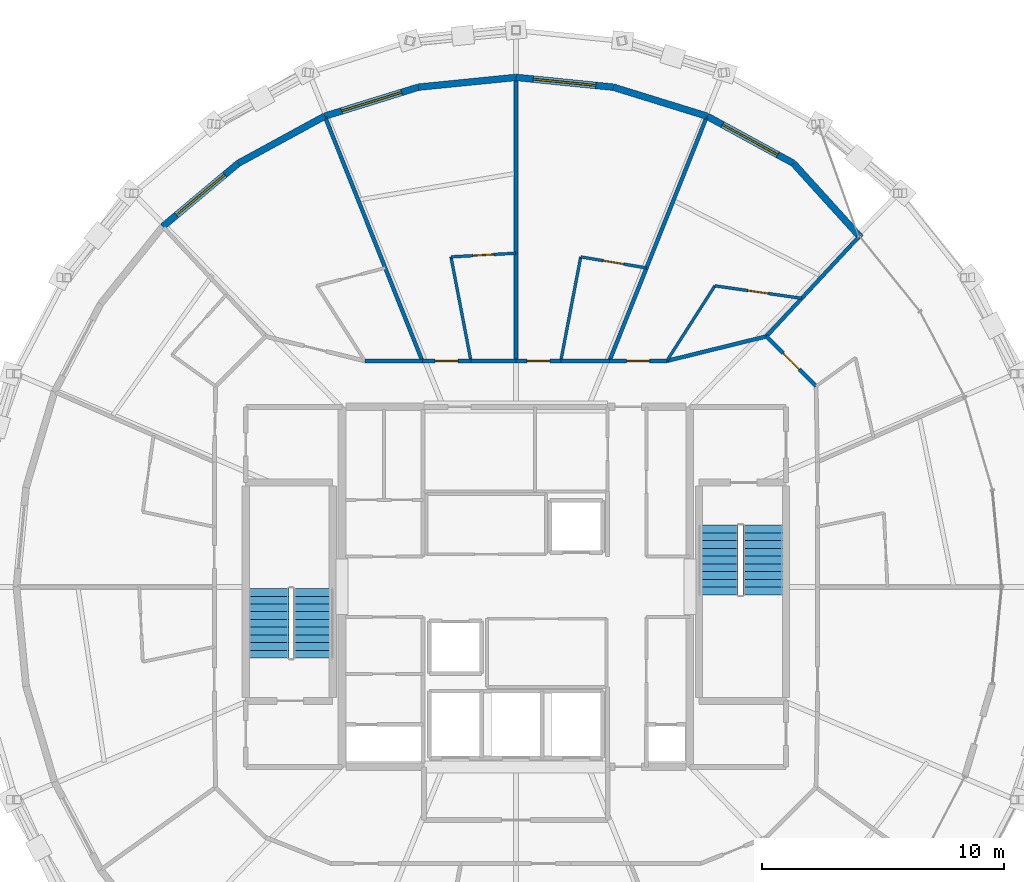
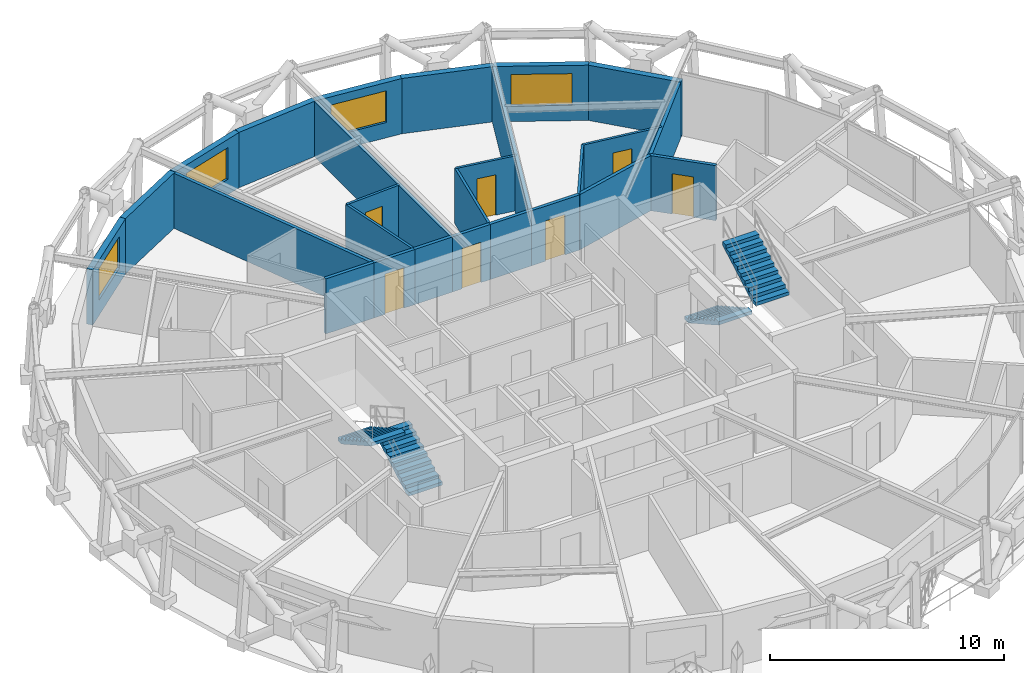
# One storey, part 14 of 15: 26 walls, 7 doors, 4 stair flights, 4 windows, 11 openings, 2 elements without a shape of their own.
"""IFC4 building model written with IfcOpenShell, lengths in metres."""

import ifcopenshell
import ifcopenshell.guid

model = None  # the IFC model being written
_history = None  # IfcOwnerHistory: only IFC2X3 demands one
_inside = {}  # id of a spatial element -> (the spatial element, [elements in it])
_under = {}  # id of a project, library or spatial element -> (it, [spatial elements below it])
_declared = {}  # id of a project -> (the project, [libraries it declares])
_typed = {}  # id of a type object -> (the type object, [elements of that type])
_made_of = {}  # id of a material, layer set ... -> (it, [elements and type objects made of it])


def new_model(schema):
    """Start an empty IFC model of exactly this schema.

    Asked for "IFC4X3", IfcOpenShell would pick the latest addendum, in which some entities
    have other attributes; the version numbers below select the first issue.
    IFC2X3 requires an IfcOwnerHistory on every rooted entity: one is made here for all.
    """
    global model, _history
    if schema == "IFC4X3":
        model = ifcopenshell.file(schema_version=(4, 3, 0, 0))
    else:
        model = ifcopenshell.file(schema=schema)
    _inside.clear()
    _under.clear()
    _declared.clear()
    _typed.clear()
    _made_of.clear()
    _history = None
    if model.schema == "IFC2X3":
        org = make("IfcOrganization", Name="unknown")
        user = make(
            "IfcPersonAndOrganization",
            ThePerson=make("IfcPerson", FamilyName="unknown"),
            TheOrganization=org,
        )
        app = make(
            "IfcApplication",
            ApplicationDeveloper=org,
            Version="unknown",
            ApplicationFullName="unknown",
            ApplicationIdentifier="unknown",
        )
        _history = make(
            "IfcOwnerHistory",
            OwningUser=user,
            OwningApplication=app,
            ChangeAction="ADDED",
            CreationDate=0,
        )
    return model


def make(cls, **values):
    """One entity of the class cls with the attributes given. An attribute that is None is left unset."""
    return model.create_entity(
        cls, **{name: value for name, value in values.items() if value is not None}
    )


def rooted(cls, **values):
    """An entity with a GlobalId (a new one), such as an element, a storey or a relation."""
    return make(cls, GlobalId=ifcopenshell.guid.new(), OwnerHistory=_history, **values)


def si_unit(unit_type, name, prefix=None):
    """IfcSIUnit, for example si_unit("LENGTHUNIT", "METRE", prefix="MILLI")."""
    return make("IfcSIUnit", UnitType=unit_type, Prefix=prefix, Name=name)


def assignment(units):
    """IfcUnitAssignment: the units of a project."""
    return None if units is None else make("IfcUnitAssignment", Units=units)


def point(xyz):
    """IfcCartesianPoint."""
    return None if xyz is None else make("IfcCartesianPoint", Coordinates=xyz)


def direction(xyz):
    """IfcDirection."""
    return None if xyz is None else make("IfcDirection", DirectionRatios=xyz)


def frame(location, z_axis=None, x_axis=None):
    """IfcAxis2Placement3D, a coordinate frame: its origin and axes. An axis left out is left unset."""
    return make(
        "IfcAxis2Placement3D",
        Location=point(location),
        Axis=direction(z_axis),
        RefDirection=direction(x_axis),
    )


def frame_2d(location, x_axis=None):
    """IfcAxis2Placement2D, a coordinate frame in the plane: its origin and x axis."""
    return make(
        "IfcAxis2Placement2D", Location=point(location), RefDirection=direction(x_axis)
    )


def origin():
    """The frame at (0, 0, 0) with its axes left unset."""
    return frame((0.0, 0.0, 0.0))


def place(relative_to, where):
    """IfcLocalPlacement: puts the frame where relative to a parent placement (None: the world)."""
    return make(
        "IfcLocalPlacement", PlacementRelTo=relative_to, RelativePlacement=where
    )


def context(
    kind, dimensions, precision=None, world=None, true_north=None, identifier=None
):
    """IfcGeometricRepresentationContext, for example the 3D "Model" context."""
    return make(
        "IfcGeometricRepresentationContext",
        ContextIdentifier=identifier,
        ContextType=kind,
        CoordinateSpaceDimension=dimensions,
        Precision=precision,
        WorldCoordinateSystem=world,
        TrueNorth=true_north,
    )


def subcontext(parent, identifier, kind, view, scale=None):
    """IfcGeometricRepresentationSubContext, for example "Body" below "Model"."""
    return make(
        "IfcGeometricRepresentationSubContext",
        ContextIdentifier=identifier,
        ContextType=kind,
        ParentContext=parent,
        TargetScale=scale,
        TargetView=view,
    )


def project(units=None, contexts=None):
    """IfcProject with its units and contexts."""
    return rooted(
        "IfcProject",
        Name="project",
        RepresentationContexts=contexts,
        UnitsInContext=assignment(units),
    )


def spatial(cls, under=None, at=None, **own):
    """A site, building, storey or space (cls), placed at a placement, below another one or the project."""
    s = rooted(cls, ObjectPlacement=at, **own)
    if under is not None:
        _under.setdefault(under.id(), (under, []))[1].append(s)
    return s


def polyline(points):
    """IfcPolyline through the points."""
    return make("IfcPolyline", Points=[point(p) for p in points])


def profile(cls, at=None, kind="AREA", **sizes):
    """A parametric profile (cls). Its sizes go by their IFC names, for example OverallWidth=200.0."""
    return make(cls, ProfileType=kind, Position=at, **sizes)


def rectangle(**sizes):
    """IfcRectangleProfileDef."""
    return profile("IfcRectangleProfileDef", **sizes)


def outline(outer, holes=None, kind="AREA"):
    """IfcArbitraryClosedProfileDef: a profile drawn as a closed curve; with holes, ...WithVoids."""
    if holes is None:
        return make("IfcArbitraryClosedProfileDef", ProfileType=kind, OuterCurve=outer)
    return make(
        "IfcArbitraryProfileDefWithVoids",
        ProfileType=kind,
        OuterCurve=outer,
        InnerCurves=holes,
    )


def extrude(swept, where, along, depth):
    """IfcExtrudedAreaSolid: the profile swept, set in the frame where, extruded along a direction by depth."""
    return make(
        "IfcExtrudedAreaSolid",
        SweptArea=swept,
        Position=where,
        ExtrudedDirection=direction(along),
        Depth=depth,
    )


def shape(context_of_items, identifier, shape_type, items):
    """IfcShapeRepresentation: the items that make up one representation, for example the "Body"."""
    return make(
        "IfcShapeRepresentation",
        ContextOfItems=context_of_items,
        RepresentationIdentifier=identifier,
        RepresentationType=shape_type,
        Items=items,
    )


def material(Name=None, Category=None):
    """IfcMaterial."""
    return make("IfcMaterial", Name=Name, Category=Category)


def layer(
    of_material, thickness, ventilated=None, Name=None, Category=None, Priority=None
):
    """IfcMaterialLayer: one layer of a wall or slab, of a material (None: an air gap)."""
    return make(
        "IfcMaterialLayer",
        Material=of_material,
        LayerThickness=thickness,
        IsVentilated=ventilated,
        Name=Name,
        Category=Category,
        Priority=Priority,
    )


def layer_set(layers, Name=None):
    """IfcMaterialLayerSet."""
    return make("IfcMaterialLayerSet", MaterialLayers=layers, LayerSetName=Name)


def made_of(thing, what):
    """Note that an element or type object is made of a material, layer set ...; save() writes the relation."""
    if what is not None:
        _made_of.setdefault(what.id(), (what, []))[1].append(thing)
    return thing


def type_object(cls, material=None, **own):
    """A type object (cls), such as IfcWallType, which elements share."""
    return made_of(rooted(cls, **own), material)


def element(
    cls,
    number,
    at=None,
    inside=None,
    cuts=None,
    type_object=None,
    material=None,
    context=None,
    identifier="Body",
    shape_type=None,
    held_by="IfcProductDefinitionShape",
    body=None,
    shapes=None,
    **own,
):
    """One element of the class cls, such as IfcWall. Its Tag is "e" and its number.

    at: its placement. inside: the storey or other place that contains it. cuts: it is an
    opening in that element (IfcRelVoidsElement). A single representation is given by context,
    identifier, shape_type and body (its items); several are given by shapes. held_by: the class
    of the entity that holds the representations. save() writes the other relations.
    """
    e = rooted(cls, Tag="e%d" % number, ObjectPlacement=at, **own)
    if body is not None:
        shapes = [shape(context, identifier, shape_type, body)]
    if shapes is not None:
        e.Representation = make(held_by, Representations=shapes)
    if inside is not None:
        _inside.setdefault(inside.id(), (inside, []))[1].append(e)
    if cuts is not None:
        rooted(
            "IfcRelVoidsElement", RelatingBuildingElement=cuts, RelatedOpeningElement=e
        )
    if type_object is not None:
        _typed.setdefault(type_object.id(), (type_object, []))[1].append(e)
    return made_of(e, material)


def fill(opening, filler):
    """IfcRelFillsElement: the door or window that sits in an opening."""
    return rooted(
        "IfcRelFillsElement",
        RelatingOpeningElement=opening,
        RelatedBuildingElement=filler,
    )


def aggregate(whole, parts):
    """IfcRelAggregates: a whole, such as a stair, and the parts it consists of."""
    return rooted("IfcRelAggregates", RelatingObject=whole, RelatedObjects=parts)


def save(model, path):
    """Write the relations noted so far, then the file.

    IfcRelAggregates (storeys below a building ...), IfcRelContainedInSpatialStructure (elements
    in a storey), IfcRelDefinesByType, IfcRelAssociatesMaterial and IfcRelDeclares: one each for
    every whole, place, type object, material and project.
    """
    for whole, parts in _under.values():
        aggregate(whole, parts)
    for where, things in _inside.values():
        rooted(
            "IfcRelContainedInSpatialStructure",
            RelatedElements=things,
            RelatingStructure=where,
        )
    for kind, things in _typed.values():
        rooted("IfcRelDefinesByType", RelatedObjects=things, RelatingType=kind)
    for what, things in _made_of.values():
        rooted("IfcRelAssociatesMaterial", RelatedObjects=things, RelatingMaterial=what)
    for by, libraries in _declared.values():
        rooted("IfcRelDeclares", RelatingContext=by, RelatedDefinitions=libraries)
    model.write(path)


model = new_model("IFC4")

# Units and contexts
model_context = context("Model", 3, precision=1e-05, world=origin(), true_north=direction((0.0, 1.0)))
body_context = subcontext(model_context, "Body", "Model", "MODEL_VIEW")
ifc_project = project(units=[si_unit("LENGTHUNIT", "METRE"), si_unit("AREAUNIT", "SQUARE_METRE"), si_unit("VOLUMEUNIT", "CUBIC_METRE"), si_unit("PLANEANGLEUNIT", "RADIAN"), si_unit("MASSUNIT", "GRAM", prefix="KILO")], contexts=[model_context])

# Site, building, storey
site_placement = place(None, origin())
site = spatial("IfcSite", under=ifc_project, at=site_placement, CompositionType="ELEMENT")
building_placement = place(site_placement, origin())
building = spatial("IfcBuilding", under=site, at=building_placement, Name="Veldorina Hangang Commons", CompositionType="ELEMENT")
storey_placement = place(building_placement, frame((0.0, 0.0, 254.39990234375)))
storey = spatial("IfcBuildingStorey", under=building, at=storey_placement, Name="L66", CompositionType="ELEMENT", Elevation=254.39990234375)

# Wall
ifc_material_1 = material(Name="Stone Roman Travertine", Category="masonry")
ifc_layer_1 = layer(ifc_material_1, 0.280029296875)
ifc_layer_set_1 = layer_set([ifc_layer_1], Name="Stone Roman Travertine")
wall_type_1 = type_object("IfcWallType", Name="EW-TRAV-280", PredefinedType="STANDARD", material=ifc_layer_set_1)
wall_1_placement = place(storey_placement, frame((46.281494140625, 38.445556640625, 0.0), z_axis=(0.0, 0.0, 1.0), x_axis=(-0.67165415444, 0.740864830332, 0.0)))
element("IfcWall", 1, at=wall_1_placement, inside=storey, type_object=wall_type_1, Name="L66 travertine facade wall 04", PredefinedType="STANDARD", context=body_context, shape_type="SweptSolid", body=[
    extrude(rectangle(XDim=4.166015625, YDim=0.280029296875, at=frame_2d((2.0830078125, 0.0))), origin(), (0.0, 0.0, 1.0), 2.880126953125),
])

# Wall, opening, window
wall_2_placement = place(storey_placement, frame((43.4833984375, 41.531982421875, 0.0), z_axis=(0.0, 0.0, 1.0), x_axis=(-0.877966625542, 0.478721844534, 0.0)))
wall_2 = element("IfcWall", 2, at=wall_2_placement, inside=storey, type_object=wall_type_1, Name="L66 travertine facade wall 05", PredefinedType="STANDARD", context=body_context, shape_type="SweptSolid", body=[
    extrude(rectangle(XDim=4.070068359375, YDim=0.280029296875, at=frame_2d((2.03515625, 0.0))), origin(), (0.0, 0.0, 1.0), 2.880126953125),
])
opening_1_placement = place(wall_2_placement, frame((0.735107421875, 0.0, 0.800048828125)))
opening_1 = element("IfcOpeningElement", 3, at=opening_1_placement, cuts=wall_2, Name="Opening W-02", PredefinedType="OPENING", context=body_context, shape_type="SweptSolid", body=[
    extrude(rectangle(XDim=2.60009765625, YDim=1.64990234375, at=frame_2d((1.300048828125, 0.824951171875))), frame((0.0, 0.14990234375, 0.0), z_axis=(0.0, -1.0, 0.0), x_axis=(1.0, 0.0, 0.0)), (0.0, 0.0, 1.0), 0.300048828125),
])
ifc_material_2 = material(Name="Glass Low-E Triple IGU", Category="glass")
window_type = type_object("IfcWindowType", Name="WIN-TWR-2600", PartitioningType="SINGLE_PANEL", PredefinedType="WINDOW", material=ifc_material_2)
window_1_placement = place(opening_1_placement, origin())
window_1 = element("IfcWindow", 4, at=window_1_placement, inside=storey, type_object=window_type, Name="L66 facade window 05", OverallHeight=1.64990234375, OverallWidth=2.60009765625, PartitioningType="SINGLE_PANEL", PredefinedType="WINDOW", context=body_context, shape_type="SweptSolid", body=[
    extrude(rectangle(XDim=2.60009765625, YDim=1.64990234375, at=frame_2d((1.300048828125, 0.824951171875))), frame((0.0, 0.030029296875, 0.0), z_axis=(0.0, -1.0, 0.0), x_axis=(1.0, 0.0, 0.0)), (0.0, 0.0, 1.0), 0.06005859375),
])
fill(opening_1, window_1)

# Wall
wall_3_placement = place(storey_placement, frame((39.909912109375, 43.48046875, 0.0), z_axis=(0.0, 0.0, 1.0), x_axis=(-0.955300452464, 0.295636678243, 0.0)))
element("IfcWall", 5, at=wall_3_placement, inside=storey, type_object=wall_type_1, Name="L66 travertine facade wall 06", PredefinedType="STANDARD", context=body_context, shape_type="SweptSolid", body=[
    extrude(rectangle(XDim=4.058837890625, YDim=0.280029296875, at=frame_2d((2.029296875, 0.0))), origin(), (0.0, 0.0, 1.0), 2.880126953125),
])

# Wall, opening, window
wall_4_placement = place(storey_placement, frame((36.032470703125, 44.680419921875, 0.0), z_axis=(0.0, 0.0, 1.0), x_axis=(-0.994993554733, 0.099939111661, 0.0)))
wall_4 = element("IfcWall", 6, at=wall_4_placement, inside=storey, type_object=wall_type_1, Name="L66 travertine facade wall 07", PredefinedType="STANDARD", context=body_context, shape_type="SweptSolid", body=[
    extrude(rectangle(XDim=4.052734375, YDim=0.280029296875, at=frame_2d((2.0263671875, 0.0))), origin(), (0.0, 0.0, 1.0), 2.880126953125),
])
opening_2_placement = place(wall_4_placement, frame((0.726318359375, 0.0, 0.800048828125)))
opening_2 = element("IfcOpeningElement", 7, at=opening_2_placement, cuts=wall_4, Name="Opening W-02", PredefinedType="OPENING", context=body_context, shape_type="SweptSolid", body=[
    extrude(rectangle(XDim=2.60009765625, YDim=1.64990234375, at=frame_2d((1.300048828125, 0.824951171875))), frame((0.0, 0.14990234375, 0.0), z_axis=(0.0, -1.0, 0.0), x_axis=(1.0, 0.0, 0.0)), (0.0, 0.0, 1.0), 0.300048828125),
])
window_2_placement = place(opening_2_placement, origin())
window_2 = element("IfcWindow", 8, at=window_2_placement, inside=storey, type_object=window_type, Name="L66 facade window 07", OverallHeight=1.64990234375, OverallWidth=2.60009765625, PartitioningType="SINGLE_PANEL", PredefinedType="WINDOW", context=body_context, shape_type="SweptSolid", body=[
    extrude(rectangle(XDim=2.60009765625, YDim=1.64990234375, at=frame_2d((1.300048828125, 0.824951171875))), frame((0.0, 0.030029296875, 0.0), z_axis=(0.0, -1.0, 0.0), x_axis=(1.0, 0.0, 0.0)), (0.0, 0.0, 1.0), 0.06005859375),
])
fill(opening_2, window_2)

# Wall
wall_5_placement = place(storey_placement, frame((32.0, 45.08544921875, 0.0), z_axis=(0.0, 0.0, 1.0), x_axis=(-0.994993554733, -0.099939111661, 0.0)))
element("IfcWall", 9, at=wall_5_placement, inside=storey, type_object=wall_type_1, Name="L66 travertine facade wall 08", PredefinedType="STANDARD", context=body_context, shape_type="SweptSolid", body=[
    extrude(rectangle(XDim=4.052734375, YDim=0.280029296875, at=frame_2d((2.0263671875, 0.0))), origin(), (0.0, 0.0, 1.0), 2.880126953125),
])

# Wall, opening, window
wall_6_placement = place(storey_placement, frame((27.967529296875, 44.680419921875, 0.0), z_axis=(0.0, 0.0, 1.0), x_axis=(-0.955300452464, -0.295636678243, 0.0)))
wall_6 = element("IfcWall", 10, at=wall_6_placement, inside=storey, type_object=wall_type_1, Name="L66 travertine facade wall 09", PredefinedType="STANDARD", context=body_context, shape_type="SweptSolid", body=[
    extrude(rectangle(XDim=4.058837890625, YDim=0.280029296875, at=frame_2d((2.029296875, 0.0))), origin(), (0.0, 0.0, 1.0), 2.880126953125),
])
opening_3_placement = place(wall_6_placement, frame((0.7294921875, 0.0, 0.800048828125)))
opening_3 = element("IfcOpeningElement", 11, at=opening_3_placement, cuts=wall_6, Name="Opening W-02", PredefinedType="OPENING", context=body_context, shape_type="SweptSolid", body=[
    extrude(rectangle(XDim=2.60009765625, YDim=1.64990234375, at=frame_2d((1.300048828125, 0.824951171875))), frame((0.0, 0.14990234375, 0.0), z_axis=(0.0, -1.0, 0.0), x_axis=(1.0, 0.0, 0.0)), (0.0, 0.0, 1.0), 0.300048828125),
])
window_3_placement = place(opening_3_placement, origin())
window_3 = element("IfcWindow", 12, at=window_3_placement, inside=storey, type_object=window_type, Name="L66 facade window 09", OverallHeight=1.64990234375, OverallWidth=2.60009765625, PartitioningType="SINGLE_PANEL", PredefinedType="WINDOW", context=body_context, shape_type="SweptSolid", body=[
    extrude(rectangle(XDim=2.60009765625, YDim=1.64990234375, at=frame_2d((1.300048828125, 0.824951171875))), frame((0.0, 0.030029296875, 0.0), z_axis=(0.0, -1.0, 0.0), x_axis=(1.0, 0.0, 0.0)), (0.0, 0.0, 1.0), 0.06005859375),
])
fill(opening_3, window_3)

# Wall
wall_7_placement = place(storey_placement, frame((24.090087890625, 43.48046875, 0.0), z_axis=(0.0, 0.0, 1.0), x_axis=(-0.877966625542, -0.478721844534, 0.0)))
element("IfcWall", 13, at=wall_7_placement, inside=storey, type_object=wall_type_1, Name="L66 travertine facade wall 10", PredefinedType="STANDARD", context=body_context, shape_type="SweptSolid", body=[
    extrude(rectangle(XDim=4.070068359375, YDim=0.280029296875, at=frame_2d((2.03515625, 0.0))), origin(), (0.0, 0.0, 1.0), 2.880126953125),
])

# Wall, opening, window
wall_8_placement = place(storey_placement, frame((20.5166015625, 41.531982421875, 0.0), z_axis=(0.0, 0.0, 1.0), x_axis=(-0.766744674331, -0.64195218232, 0.0)))
wall_8 = element("IfcWall", 14, at=wall_8_placement, inside=storey, type_object=wall_type_1, Name="L66 travertine facade wall 11", PredefinedType="STANDARD", context=body_context, shape_type="SweptSolid", body=[
    extrude(rectangle(XDim=4.0849609375, YDim=0.280029296875, at=frame_2d((2.04248046875, 0.0))), origin(), (0.0, 0.0, 1.0), 2.880126953125),
])
opening_4_placement = place(wall_8_placement, frame((0.742431640625, 0.0, 0.800048828125)))
opening_4 = element("IfcOpeningElement", 15, at=opening_4_placement, cuts=wall_8, Name="Opening W-02", PredefinedType="OPENING", context=body_context, shape_type="SweptSolid", body=[
    extrude(rectangle(XDim=2.60009765625, YDim=1.64990234375, at=frame_2d((1.300048828125, 0.824951171875))), frame((0.0, 0.14990234375, 0.0), z_axis=(0.0, -1.0, 0.0), x_axis=(1.0, 0.0, 0.0)), (0.0, 0.0, 1.0), 0.300048828125),
])
window_4_placement = place(opening_4_placement, origin())
window_4 = element("IfcWindow", 16, at=window_4_placement, inside=storey, type_object=window_type, Name="L66 facade window 11", OverallHeight=1.64990234375, OverallWidth=2.60009765625, PartitioningType="SINGLE_PANEL", PredefinedType="WINDOW", context=body_context, shape_type="SweptSolid", body=[
    extrude(rectangle(XDim=2.60009765625, YDim=1.64990234375, at=frame_2d((1.300048828125, 0.824951171875))), frame((0.0, 0.030029296875, 0.0), z_axis=(0.0, -1.0, 0.0), x_axis=(1.0, 0.0, 0.0)), (0.0, 0.0, 1.0), 0.06005859375),
])
fill(opening_4, window_4)

# Wall, opening, door
ifc_material_3 = material(Name="Gypsum Fire-Rated Twin Stud Wall", Category="gypsum")
ifc_layer_2 = layer(ifc_material_3, 0.159912109375)
ifc_layer_set_2 = layer_set([ifc_layer_2], Name="Gypsum Fire-Rated Twin Stud Wall")
wall_type_2 = type_object("IfcWallType", Name="WL-FIRE-160", PredefinedType="SOLIDWALL", material=ifc_layer_set_2)
wall_9_placement = place(storey_placement, frame((44.4267578125, 32.30322265625, 0.0), z_axis=(0.0, 0.0, 1.0), x_axis=(-0.707106781187, 0.707106781187, 0.0)))
wall_9 = element("IfcWall", 17, at=wall_9_placement, inside=storey, type_object=wall_type_2, Name="L66 Compact collar outer wall 03 057", PredefinedType="SOLIDWALL", context=body_context, shape_type="SweptSolid", body=[
    extrude(rectangle(XDim=2.915771484375, YDim=0.159912109375, at=frame_2d((1.4580078125, 0.0))), origin(), (0.0, 0.0, 1.0), 2.8701171875),
])
opening_5_placement = place(wall_9_placement, frame((0.98291015625, 0.0, 0.0)))
opening_5 = element("IfcOpeningElement", 18, at=opening_5_placement, cuts=wall_9, Name="Opening D-03", PredefinedType="OPENING", context=body_context, shape_type="SweptSolid", body=[
    extrude(rectangle(XDim=0.949951171875, YDim=2.10009765625, at=frame_2d((0.47509765625, 1.050048828125))), frame((0.0, 0.08984375, 0.0), z_axis=(0.0, -1.0, 0.0), x_axis=(1.0, 0.0, 0.0)), (0.0, 0.0, 1.0), 0.179931640625),
])
ifc_material_4 = material(Name="Timber Fire-Rated Entrance Core", Category="wood")
door_type_1 = type_object("IfcDoorType", Name="DR-UNIT-950", OperationType="SINGLE_SWING_RIGHT", PredefinedType="DOOR", material=ifc_material_4)
door_1_placement = place(opening_5_placement, origin())
door_1 = element("IfcDoor", 19, at=door_1_placement, inside=storey, type_object=door_type_1, Name="L66 Studio 3 entrance door 028", OperationType="SINGLE_SWING_RIGHT", OverallHeight=2.10009765625, OverallWidth=0.949951171875, PredefinedType="DOOR", context=body_context, shape_type="SweptSolid", body=[
    extrude(rectangle(XDim=0.949951171875, YDim=2.10009765625, at=frame_2d((0.47509765625, 1.050048828125))), frame((0.0, 0.02490234375, 0.0), z_axis=(0.0, -1.0, 0.0), x_axis=(1.0, 0.0, 0.0)), (0.0, 0.0, 1.0), 0.050048828125),
])
fill(opening_5, door_1)

# Wall
wall_10_placement = place(storey_placement, frame((42.364990234375, 34.364990234375, 0.0), z_axis=(0.0, 0.0, 1.0), x_axis=(-0.970939799552, -0.239323850978, 0.0)))
element("IfcWall", 20, at=wall_10_placement, inside=storey, type_object=wall_type_2, Name="L66 Compact collar outer wall 04 058", PredefinedType="SOLIDWALL", context=body_context, shape_type="SweptSolid", body=[
    extrude(rectangle(XDim=4.24072265625, YDim=0.159912109375, at=frame_2d((2.120361328125, 0.0))), origin(), (0.0, 0.0, 1.0), 2.8701171875),
])

# Wall, opening, door
wall_11_placement = place(storey_placement, frame((38.24755859375, 33.35009765625, 0.0), z_axis=(0.0, 0.0, 1.0), x_axis=(-1.0, 0.0, 0.0)))
wall_11 = element("IfcWall", 21, at=wall_11_placement, inside=storey, type_object=wall_type_2, Name="L66 Compact collar outer wall 05 059", PredefinedType="SOLIDWALL", context=body_context, shape_type="SweptSolid", body=[
    extrude(rectangle(XDim=2.374755859375, YDim=0.159912109375, at=frame_2d((1.1875, 0.0))), origin(), (0.0, 0.0, 1.0), 2.8701171875),
])
opening_6_placement = place(wall_11_placement, frame((0.71240234375, 0.0, 0.0)))
opening_6 = element("IfcOpeningElement", 22, at=opening_6_placement, cuts=wall_11, Name="Opening D-03", PredefinedType="OPENING", context=body_context, shape_type="SweptSolid", body=[
    extrude(rectangle(XDim=0.949951171875, YDim=2.10009765625, at=frame_2d((0.47509765625, 1.050048828125))), frame((0.0, 0.08984375, 0.0), z_axis=(0.0, -1.0, 0.0), x_axis=(1.0, 0.0, 0.0)), (0.0, 0.0, 1.0), 0.179931640625),
])
door_2_placement = place(opening_6_placement, origin())
door_2 = element("IfcDoor", 23, at=door_2_placement, inside=storey, type_object=door_type_1, Name="L66 Studio 4 entrance door 030", OperationType="SINGLE_SWING_RIGHT", OverallHeight=2.10009765625, OverallWidth=0.949951171875, PredefinedType="DOOR", context=body_context, shape_type="SweptSolid", body=[
    extrude(rectangle(XDim=0.949951171875, YDim=2.10009765625, at=frame_2d((0.47509765625, 1.050048828125))), frame((0.0, 0.02490234375, 0.0), z_axis=(0.0, -1.0, 0.0), x_axis=(1.0, 0.0, 0.0)), (0.0, 0.0, 1.0), 0.050048828125),
])
fill(opening_6, door_2)

# Wall
wall_12_placement = place(storey_placement, frame((35.872802734375, 33.35009765625, 0.0), z_axis=(0.0, 0.0, 1.0), x_axis=(-1.0, 0.0, 0.0)))
element("IfcWall", 24, at=wall_12_placement, inside=storey, type_object=wall_type_2, Name="L66 Compact collar outer wall 06 060", PredefinedType="SOLIDWALL", context=body_context, shape_type="SweptSolid", body=[
    extrude(rectangle(XDim=2.012939453125, YDim=0.159912109375, at=frame_2d((1.00634765625, 0.0))), origin(), (0.0, 0.0, 1.0), 2.8701171875),
])

# Wall, opening, door
wall_13_placement = place(storey_placement, frame((33.85986328125, 33.35009765625, 0.0), z_axis=(0.0, 0.0, 1.0), x_axis=(-1.0, 0.0, 0.0)))
wall_13 = element("IfcWall", 25, at=wall_13_placement, inside=storey, type_object=wall_type_2, Name="L66 Compact collar outer wall 07 061", PredefinedType="SOLIDWALL", context=body_context, shape_type="SweptSolid", body=[
    extrude(rectangle(XDim=1.85986328125, YDim=0.159912109375, at=frame_2d((0.929931640625, 0.0))), origin(), (0.0, 0.0, 1.0), 2.8701171875),
])
opening_7_placement = place(wall_13_placement, frame((0.454833984375, 0.0, 0.0)))
opening_7 = element("IfcOpeningElement", 26, at=opening_7_placement, cuts=wall_13, Name="Opening D-03", PredefinedType="OPENING", context=body_context, shape_type="SweptSolid", body=[
    extrude(rectangle(XDim=0.949951171875, YDim=2.10009765625, at=frame_2d((0.47509765625, 1.050048828125))), frame((0.0, 0.08984375, 0.0), z_axis=(0.0, -1.0, 0.0), x_axis=(1.0, 0.0, 0.0)), (0.0, 0.0, 1.0), 0.179931640625),
])
door_3_placement = place(opening_7_placement, origin())
door_3 = element("IfcDoor", 27, at=door_3_placement, inside=storey, type_object=door_type_1, Name="L66 Studio 5 entrance door 032", OperationType="SINGLE_SWING_RIGHT", OverallHeight=2.10009765625, OverallWidth=0.949951171875, PredefinedType="DOOR", context=body_context, shape_type="SweptSolid", body=[
    extrude(rectangle(XDim=0.949951171875, YDim=2.10009765625, at=frame_2d((0.47509765625, 1.050048828125))), frame((0.0, 0.02490234375, 0.0), z_axis=(0.0, -1.0, 0.0), x_axis=(1.0, 0.0, 0.0)), (0.0, 0.0, 1.0), 0.050048828125),
])
fill(opening_7, door_3)

# Wall
wall_14_placement = place(storey_placement, frame((32.0, 33.35009765625, 0.0), z_axis=(0.0, 0.0, 1.0), x_axis=(-1.0, 0.0, 0.0)))
element("IfcWall", 28, at=wall_14_placement, inside=storey, type_object=wall_type_2, Name="L66 Compact collar outer wall 08 062", PredefinedType="SOLIDWALL", context=body_context, shape_type="SweptSolid", body=[
    extrude(rectangle(XDim=1.85986328125, YDim=0.159912109375, at=frame_2d((0.929931640625, 0.0))), origin(), (0.0, 0.0, 1.0), 2.8701171875),
])

# Wall, opening, door
wall_15_placement = place(storey_placement, frame((30.14013671875, 33.35009765625, 0.0), z_axis=(0.0, 0.0, 1.0), x_axis=(-1.0, 0.0, 0.0)))
wall_15 = element("IfcWall", 29, at=wall_15_placement, inside=storey, type_object=wall_type_2, Name="L66 Compact collar outer wall 09 063", PredefinedType="SOLIDWALL", context=body_context, shape_type="SweptSolid", body=[
    extrude(rectangle(XDim=2.012939453125, YDim=0.159912109375, at=frame_2d((1.00634765625, 0.0))), origin(), (0.0, 0.0, 1.0), 2.8701171875),
])
opening_8_placement = place(wall_15_placement, frame((0.531494140625, 0.0, 0.0)))
opening_8 = element("IfcOpeningElement", 30, at=opening_8_placement, cuts=wall_15, Name="Opening D-03", PredefinedType="OPENING", context=body_context, shape_type="SweptSolid", body=[
    extrude(rectangle(XDim=0.949951171875, YDim=2.10009765625, at=frame_2d((0.47509765625, 1.050048828125))), frame((0.0, 0.08984375, 0.0), z_axis=(0.0, -1.0, 0.0), x_axis=(1.0, 0.0, 0.0)), (0.0, 0.0, 1.0), 0.179931640625),
])
door_4_placement = place(opening_8_placement, origin())
door_4 = element("IfcDoor", 31, at=door_4_placement, inside=storey, type_object=door_type_1, Name="L66 Studio 6 entrance door 034", OperationType="SINGLE_SWING_RIGHT", OverallHeight=2.10009765625, OverallWidth=0.949951171875, PredefinedType="DOOR", context=body_context, shape_type="SweptSolid", body=[
    extrude(rectangle(XDim=0.949951171875, YDim=2.10009765625, at=frame_2d((0.47509765625, 1.050048828125))), frame((0.0, 0.02490234375, 0.0), z_axis=(0.0, -1.0, 0.0), x_axis=(1.0, 0.0, 0.0)), (0.0, 0.0, 1.0), 0.050048828125),
])
fill(opening_8, door_4)

# Walls
wall_16_placement = place(storey_placement, frame((28.127197265625, 33.35009765625, 0.0), z_axis=(0.0, 0.0, 1.0), x_axis=(-1.0, 0.0, 0.0)))
element("IfcWall", 32, at=wall_16_placement, inside=storey, type_object=wall_type_2, Name="L66 Compact collar outer wall 10 064", PredefinedType="SOLIDWALL", context=body_context, shape_type="SweptSolid", body=[
    extrude(rectangle(XDim=2.374755859375, YDim=0.159912109375, at=frame_2d((1.1875, 0.0))), origin(), (0.0, 0.0, 1.0), 2.8701171875),
])
wall_17_placement = place(storey_placement, frame((42.364990234375, 34.364990234375, 0.0), z_axis=(0.0, 0.0, 1.0), x_axis=(0.680662948216, 0.732596717797, 0.0)))
element("IfcWall", 33, at=wall_17_placement, inside=storey, type_object=wall_type_2, Name="L66 Unit party wall 04 093", PredefinedType="SOLIDWALL", context=body_context, shape_type="SweptSolid", body=[
    extrude(rectangle(XDim=5.613037109375, YDim=0.159912109375, at=frame_2d((2.806640625, 0.0))), origin(), (0.0, 0.0, 1.0), 2.8701171875),
])
wall_18_placement = place(storey_placement, frame((35.872802734375, 33.35009765625, 0.0), z_axis=(0.0, 0.0, 1.0), x_axis=(0.370196038219, 0.92895365508, 0.0)))
element("IfcWall", 34, at=wall_18_placement, inside=storey, type_object=wall_type_2, Name="L66 Unit party wall 06 096", PredefinedType="SOLIDWALL", context=body_context, shape_type="SweptSolid", body=[
    extrude(rectangle(XDim=10.855224609375, YDim=0.159912109375, at=frame_2d((5.427734375, 0.0))), origin(), (0.0, 0.0, 1.0), 2.8701171875),
])
wall_19_placement = place(storey_placement, frame((32.0, 33.35009765625, 0.0), z_axis=(0.0, 0.0, 1.0), x_axis=(0.0, 1.0, 0.0)))
element("IfcWall", 35, at=wall_19_placement, inside=storey, type_object=wall_type_2, Name="L66 Unit party wall 08 099", PredefinedType="SOLIDWALL", context=body_context, shape_type="SweptSolid", body=[
    extrude(rectangle(XDim=11.685302734375, YDim=0.159912109375, at=frame_2d((5.8427734375, 0.0))), origin(), (0.0, 0.0, 1.0), 2.8701171875),
])
wall_20_placement = place(storey_placement, frame((28.127197265625, 33.35009765625, 0.0), z_axis=(0.0, 0.0, 1.0), x_axis=(-0.370196038219, 0.92895365508, 0.0)))
element("IfcWall", 36, at=wall_20_placement, inside=storey, type_object=wall_type_2, Name="L66 Unit party wall 10 102", PredefinedType="SOLIDWALL", context=body_context, shape_type="SweptSolid", body=[
    extrude(rectangle(XDim=10.855224609375, YDim=0.159912109375, at=frame_2d((5.427734375, 0.0))), origin(), (0.0, 0.0, 1.0), 2.8701171875),
])

# Wall, opening, door
ifc_material_5 = material(Name="Gypsum Acoustic Stud Partition", Category="gypsum")
ifc_layer_3 = layer(ifc_material_5, 0.1201171875)
ifc_layer_set_3 = layer_set([ifc_layer_3], Name="Gypsum Acoustic Stud Partition")
wall_type_3 = type_object("IfcWallType", Name="WL-PART-120", PredefinedType="PARTITIONING", material=ifc_layer_set_3)
wall_21_placement = place(storey_placement, frame((43.82958984375, 35.94140625, 0.0), z_axis=(0.0, 0.0, 1.0), x_axis=(-0.989771139655, 0.142664260089, 0.0)))
wall_21 = element("IfcWall", 37, at=wall_21_placement, inside=storey, type_object=wall_type_3, Name="L66 Studio 4 bath front wall 094", PredefinedType="PARTITIONING", context=body_context, shape_type="SweptSolid", body=[
    extrude(rectangle(XDim=3.629638671875, YDim=0.1201171875, at=frame_2d((1.81494140625, 0.0))), origin(), (0.0, 0.0, 1.0), 2.8701171875),
])
opening_9_placement = place(wall_21_placement, frame((1.385009765625, 0.0, 0.0)))
opening_9 = element("IfcOpeningElement", 38, at=opening_9_placement, cuts=wall_21, Name="Opening D-01", PredefinedType="OPENING", context=body_context, shape_type="SweptSolid", body=[
    extrude(rectangle(XDim=0.860107421875, YDim=2.10009765625, at=frame_2d((0.43017578125, 1.050048828125))), frame((0.0, 0.070068359375, 0.0), z_axis=(0.0, -1.0, 0.0), x_axis=(1.0, 0.0, 0.0)), (0.0, 0.0, 1.0), 0.14013671875),
])
ifc_material_6 = material(Name="Timber Moisture-Resistant Core", Category="wood")
door_type_2 = type_object("IfcDoorType", Name="DR-WET-860", OperationType="SINGLE_SWING_LEFT", PredefinedType="DOOR", material=ifc_material_6)
door_5_placement = place(opening_9_placement, origin())
door_5 = element("IfcDoor", 39, at=door_5_placement, inside=storey, type_object=door_type_2, Name="L66 Studio 4 bathroom door 029", OperationType="SINGLE_SWING_LEFT", OverallHeight=2.10009765625, OverallWidth=0.860107421875, PredefinedType="DOOR", context=body_context, shape_type="SweptSolid", body=[
    extrude(rectangle(XDim=0.860107421875, YDim=2.10009765625, at=frame_2d((0.43017578125, 1.050048828125))), frame((0.0, 0.02490234375, 0.0), z_axis=(0.0, -1.0, 0.0), x_axis=(1.0, 0.0, 0.0)), (0.0, 0.0, 1.0), 0.050048828125),
])
fill(opening_9, door_5)

# Wall
wall_22_placement = place(storey_placement, frame((38.24755859375, 33.35009765625, 0.0), z_axis=(0.0, 0.0, 1.0), x_axis=(0.538988003625, 0.842313440442, 0.0)))
element("IfcWall", 40, at=wall_22_placement, inside=storey, type_object=wall_type_3, Name="L66 Studio 4 bath side wall 095", PredefinedType="PARTITIONING", context=body_context, shape_type="SweptSolid", body=[
    extrude(rectangle(XDim=3.691162109375, YDim=0.1201171875, at=frame_2d((1.845703125, 0.0))), origin(), (0.0, 0.0, 1.0), 2.8701171875),
])

# Wall, opening, door
wall_23_placement = place(storey_placement, frame((37.406982421875, 37.19970703125, 0.0), z_axis=(0.0, 0.0, 1.0), x_axis=(-0.986264501103, 0.16517364761, 0.0)))
wall_23 = element("IfcWall", 41, at=wall_23_placement, inside=storey, type_object=wall_type_3, Name="L66 Studio 5 bath front wall 097", PredefinedType="PARTITIONING", context=body_context, shape_type="SweptSolid", body=[
    extrude(rectangle(XDim=2.759521484375, YDim=0.1201171875, at=frame_2d((1.3798828125, 0.0))), origin(), (0.0, 0.0, 1.0), 2.8701171875),
])
opening_10_placement = place(wall_23_placement, frame((0.94970703125, 0.0, 0.0)))
opening_10 = element("IfcOpeningElement", 42, at=opening_10_placement, cuts=wall_23, Name="Opening D-01", PredefinedType="OPENING", context=body_context, shape_type="SweptSolid", body=[
    extrude(rectangle(XDim=0.860107421875, YDim=2.10009765625, at=frame_2d((0.43017578125, 1.050048828125))), frame((0.0, 0.070068359375, 0.0), z_axis=(0.0, -1.0, 0.0), x_axis=(1.0, 0.0, 0.0)), (0.0, 0.0, 1.0), 0.14013671875),
])
door_6_placement = place(opening_10_placement, origin())
door_6 = element("IfcDoor", 43, at=door_6_placement, inside=storey, type_object=door_type_2, Name="L66 Studio 5 bathroom door 031", OperationType="SINGLE_SWING_LEFT", OverallHeight=2.10009765625, OverallWidth=0.860107421875, PredefinedType="DOOR", context=body_context, shape_type="SweptSolid", body=[
    extrude(rectangle(XDim=0.860107421875, YDim=2.10009765625, at=frame_2d((0.43017578125, 1.050048828125))), frame((0.0, 0.02490234375, 0.0), z_axis=(0.0, -1.0, 0.0), x_axis=(1.0, 0.0, 0.0)), (0.0, 0.0, 1.0), 0.050048828125),
])
fill(opening_10, door_6)

# Wall
wall_24_placement = place(storey_placement, frame((33.85986328125, 33.35009765625, 0.0), z_axis=(0.0, 0.0, 1.0), x_axis=(0.188291723207, 0.982113143671, 0.0)))
element("IfcWall", 44, at=wall_24_placement, inside=storey, type_object=wall_type_3, Name="L66 Studio 5 bath side wall 098", PredefinedType="PARTITIONING", context=body_context, shape_type="SweptSolid", body=[
    extrude(rectangle(XDim=4.3837890625, YDim=0.1201171875, at=frame_2d((2.19189453125, 0.0))), origin(), (0.0, 0.0, 1.0), 2.8701171875),
])

# Wall, opening, door
wall_25_placement = place(storey_placement, frame((32.0, 37.8095703125, 0.0), z_axis=(0.0, 0.0, 1.0), x_axis=(-0.99835845828, -0.05727467835, 0.0)))
wall_25 = element("IfcWall", 45, at=wall_25_placement, inside=storey, type_object=wall_type_3, Name="L66 Studio 6 bath front wall 100", PredefinedType="PARTITIONING", context=body_context, shape_type="SweptSolid", body=[
    extrude(rectangle(XDim=2.689697265625, YDim=0.1201171875, at=frame_2d((1.3447265625, 0.0))), origin(), (0.0, 0.0, 1.0), 2.8701171875),
])
opening_11_placement = place(wall_25_placement, frame((0.914794921875, 0.0, 0.0)))
opening_11 = element("IfcOpeningElement", 46, at=opening_11_placement, cuts=wall_25, Name="Opening D-01", PredefinedType="OPENING", context=body_context, shape_type="SweptSolid", body=[
    extrude(rectangle(XDim=0.860107421875, YDim=2.10009765625, at=frame_2d((0.43017578125, 1.050048828125))), frame((0.0, 0.070068359375, 0.0), z_axis=(0.0, -1.0, 0.0), x_axis=(1.0, 0.0, 0.0)), (0.0, 0.0, 1.0), 0.14013671875),
])
door_7_placement = place(opening_11_placement, origin())
door_7 = element("IfcDoor", 47, at=door_7_placement, inside=storey, type_object=door_type_2, Name="L66 Studio 6 bathroom door 033", OperationType="SINGLE_SWING_LEFT", OverallHeight=2.10009765625, OverallWidth=0.860107421875, PredefinedType="DOOR", context=body_context, shape_type="SweptSolid", body=[
    extrude(rectangle(XDim=0.860107421875, YDim=2.10009765625, at=frame_2d((0.43017578125, 1.050048828125))), frame((0.0, 0.02490234375, 0.0), z_axis=(0.0, -1.0, 0.0), x_axis=(1.0, 0.0, 0.0)), (0.0, 0.0, 1.0), 0.050048828125),
])
fill(opening_11, door_7)

# Wall
wall_26_placement = place(storey_placement, frame((30.14013671875, 33.35009765625, 0.0), z_axis=(0.0, 0.0, 1.0), x_axis=(-0.188291723207, 0.982113143671, 0.0)))
element("IfcWall", 48, at=wall_26_placement, inside=storey, type_object=wall_type_3, Name="L66 Studio 6 bath side wall 101", PredefinedType="PARTITIONING", context=body_context, shape_type="SweptSolid", body=[
    extrude(rectangle(XDim=4.3837890625, YDim=0.1201171875, at=frame_2d((2.19189453125, 0.0))), origin(), (0.0, 0.0, 1.0), 2.8701171875),
])

# Stair, stair flights
ifc_material_7 = material(Name="Concrete C40/50", Category="concrete")
stair_type = type_object("IfcStairType", Name="STR-DOG-1650-20R", PredefinedType="HALF_TURN_STAIR", material=ifc_material_7)
stair_1_placement = place(storey_placement, origin())
stair_1 = element("IfcStair", 49, at=stair_1_placement, inside=storey, type_object=stair_type, Name="L66 Exit stair ST-1", PredefinedType="HALF_TURN_STAIR")
stair_flight_type = type_object("IfcStairFlightType", Name="SFL-STR-1650-20R", PredefinedType="STRAIGHT", material=ifc_material_7)
stair_flight_1_placement = place(storey_placement, frame((23.625, 21.050048828125, 0.0), z_axis=(0.0, 0.0, 1.0), x_axis=(0.0, 1.0, 0.0)))
stair_flight_1 = element("IfcStairFlight", 50, at=stair_flight_1_placement, type_object=stair_flight_type, Name="ST-1 flight 1", NumberOfRisers=10, NumberOfTreads=9, PredefinedType="STRAIGHT", RiserHeight=0.18, TreadLength=0.32, context=body_context, shape_type="SweptSolid", body=[
    extrude(outline(polyline([(0.0, 0.0), (0.0, 0.179931640625), (0.320068359375, 0.179931640625), (0.320068359375, 0.360107421875), (0.639892578125, 0.360107421875), (0.639892578125, 0.5400390625), (0.9599609375, 0.5400390625), (0.9599609375, 0.719970703125), (1.280029296875, 0.719970703125), (1.280029296875, 0.89990234375), (1.60009765625, 0.89990234375), (1.60009765625, 1.080078125), (1.919921875, 1.080078125), (1.919921875, 1.260009765625), (2.239990234375, 1.260009765625), (2.239990234375, 1.43994140625), (2.56005859375, 1.43994140625), (2.56005859375, 1.6201171875), (2.8798828125, 1.6201171875), (2.8798828125, 1.800048828125), (2.8798828125, 1.447998046875), (0.3056640625, 0.0), (0.0, 0.0)])), frame((0.0, 0.824951171875, 0.0), z_axis=(0.0, -1.0, 0.0), x_axis=(1.0, 0.0, 0.0)), (0.0, 0.0, 1.0), 1.64990234375),
])
stair_flight_2_placement = place(storey_placement, frame((21.77490234375, 23.929931640625, 1.800048828125), z_axis=(0.0, 0.0, 1.0), x_axis=(0.0, -1.0, 0.0)))
stair_flight_2 = element("IfcStairFlight", 51, at=stair_flight_2_placement, type_object=stair_flight_type, Name="ST-1 flight 2", NumberOfRisers=10, NumberOfTreads=9, PredefinedType="STRAIGHT", RiserHeight=0.18, TreadLength=0.32, context=body_context, shape_type="SweptSolid", body=[
    extrude(outline(polyline([(0.0, 0.0), (0.0, 0.179931640625), (0.320068359375, 0.179931640625), (0.320068359375, 0.360107421875), (0.639892578125, 0.360107421875), (0.639892578125, 0.5400390625), (0.9599609375, 0.5400390625), (0.9599609375, 0.719970703125), (1.280029296875, 0.719970703125), (1.280029296875, 0.89990234375), (1.60009765625, 0.89990234375), (1.60009765625, 1.080078125), (1.919921875, 1.080078125), (1.919921875, 1.260009765625), (2.239990234375, 1.260009765625), (2.239990234375, 1.43994140625), (2.56005859375, 1.43994140625), (2.56005859375, 1.6201171875), (2.8798828125, 1.6201171875), (2.8798828125, 1.800048828125), (2.8798828125, 1.447998046875), (0.3056640625, 0.0), (0.0, 0.0)])), frame((0.0, 0.824951171875, 0.0), z_axis=(0.0, -1.0, 0.0), x_axis=(1.0, 0.0, 0.0)), (0.0, 0.0, 1.0), 1.64990234375),
])
aggregate(stair_1, [stair_flight_1, stair_flight_2])

stair_2_placement = place(storey_placement, origin())
stair_2 = element("IfcStair", 52, at=stair_2_placement, inside=storey, type_object=stair_type, Name="L66 Exit stair ST-2", PredefinedType="HALF_TURN_STAIR")
stair_flight_3_placement = place(storey_placement, frame((40.375, 26.550048828125, 0.0), z_axis=(0.0, 0.0, 1.0), x_axis=(0.0, -1.0, 0.0)))
stair_flight_3 = element("IfcStairFlight", 53, at=stair_flight_3_placement, type_object=stair_flight_type, Name="ST-2 flight 1", NumberOfRisers=10, NumberOfTreads=9, PredefinedType="STRAIGHT", RiserHeight=0.18, TreadLength=0.32, context=body_context, shape_type="SweptSolid", body=[
    extrude(outline(polyline([(0.0, 0.0), (0.0, 0.179931640625), (0.320068359375, 0.179931640625), (0.320068359375, 0.360107421875), (0.639892578125, 0.360107421875), (0.639892578125, 0.5400390625), (0.9599609375, 0.5400390625), (0.9599609375, 0.719970703125), (1.280029296875, 0.719970703125), (1.280029296875, 0.89990234375), (1.60009765625, 0.89990234375), (1.60009765625, 1.080078125), (1.919921875, 1.080078125), (1.919921875, 1.260009765625), (2.239990234375, 1.260009765625), (2.239990234375, 1.43994140625), (2.56005859375, 1.43994140625), (2.56005859375, 1.6201171875), (2.8798828125, 1.6201171875), (2.8798828125, 1.800048828125), (2.8798828125, 1.447998046875), (0.3056640625, 0.0), (0.0, 0.0)])), frame((0.0, 0.824951171875, 0.0), z_axis=(0.0, -1.0, 0.0), x_axis=(1.0, 0.0, 0.0)), (0.0, 0.0, 1.0), 1.64990234375),
])
stair_flight_4_placement = place(storey_placement, frame((42.22509765625, 23.669921875, 1.800048828125), z_axis=(0.0, 0.0, 1.0), x_axis=(0.0, 1.0, 0.0)))
stair_flight_4 = element("IfcStairFlight", 54, at=stair_flight_4_placement, type_object=stair_flight_type, Name="ST-2 flight 2", NumberOfRisers=10, NumberOfTreads=9, PredefinedType="STRAIGHT", RiserHeight=0.18, TreadLength=0.32, context=body_context, shape_type="SweptSolid", body=[
    extrude(outline(polyline([(0.0, 0.0), (0.0, 0.179931640625), (0.320068359375, 0.179931640625), (0.320068359375, 0.360107421875), (0.639892578125, 0.360107421875), (0.639892578125, 0.5400390625), (0.9599609375, 0.5400390625), (0.9599609375, 0.719970703125), (1.280029296875, 0.719970703125), (1.280029296875, 0.89990234375), (1.60009765625, 0.89990234375), (1.60009765625, 1.080078125), (1.919921875, 1.080078125), (1.919921875, 1.260009765625), (2.239990234375, 1.260009765625), (2.239990234375, 1.43994140625), (2.56005859375, 1.43994140625), (2.56005859375, 1.6201171875), (2.8798828125, 1.6201171875), (2.8798828125, 1.800048828125), (2.8798828125, 1.447998046875), (0.3056640625, 0.0), (0.0, 0.0)])), frame((0.0, 0.824951171875, 0.0), z_axis=(0.0, -1.0, 0.0), x_axis=(1.0, 0.0, 0.0)), (0.0, 0.0, 1.0), 1.64990234375),
])
aggregate(stair_2, [stair_flight_3, stair_flight_4])

save(model, "model.ifc")
